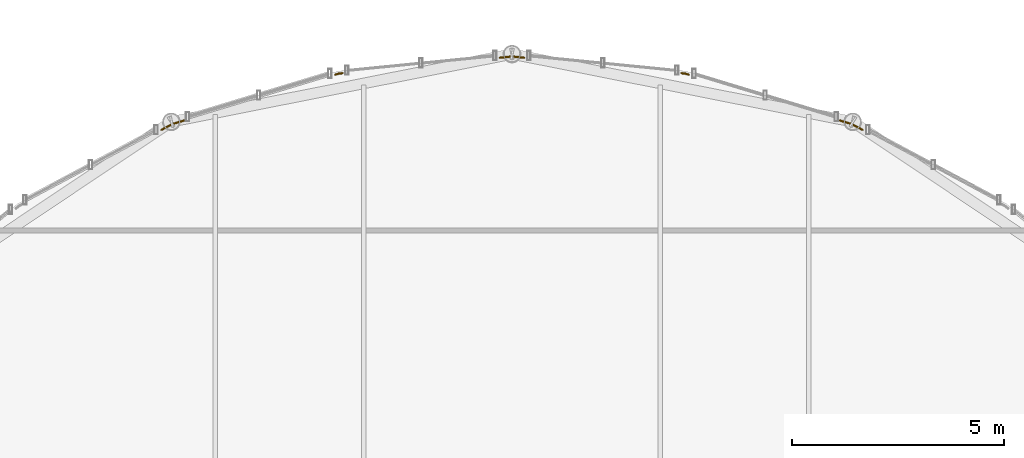
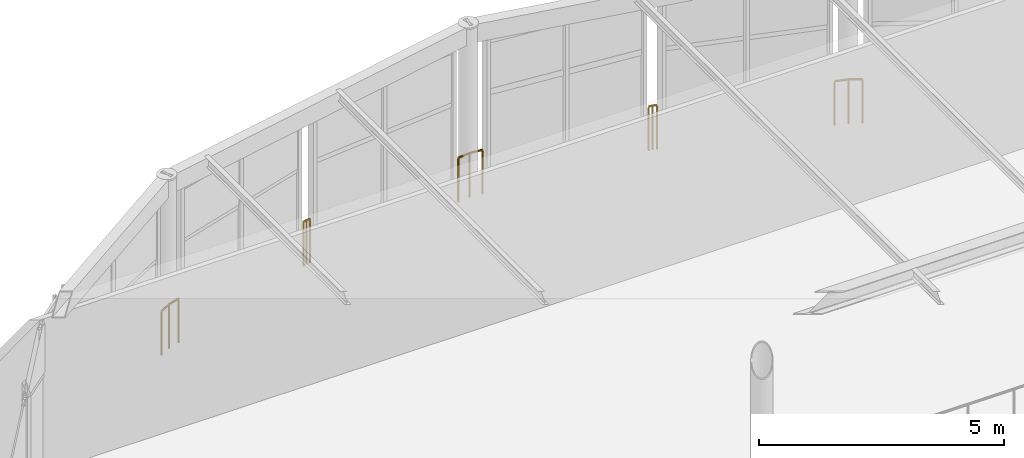
# One storey, part 105 of 105: 5 railings.
"""IFC4 building model written with IfcOpenShell, lengths in metres."""

from ifc_helpers import new_model, si_unit, direction, frame, origin, origin_2d, place, context, subcontext, project, spatial, circle, extrude, material, type_object, element, save


model = new_model("IFC4")

# Units and contexts
model_context = context("Model", 3, precision=1e-05, world=origin(), true_north=direction((0.0, 1.0)))
body_context = subcontext(model_context, "Body", "Model", "MODEL_VIEW")
ifc_project = project(units=[si_unit("LENGTHUNIT", "METRE"), si_unit("AREAUNIT", "SQUARE_METRE"), si_unit("VOLUMEUNIT", "CUBIC_METRE"), si_unit("PLANEANGLEUNIT", "RADIAN"), si_unit("MASSUNIT", "GRAM", prefix="KILO")], contexts=[model_context])

# Site, building, storey
site_placement = place(None, origin())
site = spatial("IfcSite", under=ifc_project, at=site_placement, CompositionType="ELEMENT")
building_placement = place(site_placement, origin())
building = spatial("IfcBuilding", under=site, at=building_placement, Name="Marlcrest Central Station", CompositionType="ELEMENT")
storey_placement = place(building_placement, frame((0.0, 0.0, 15.0)))
storey = spatial("IfcBuildingStorey", under=building, at=storey_placement, Name="L03", CompositionType="ELEMENT", Elevation=15.0)

# Railings
ifc_material = material(Name="Stainless steel and laminated glass concourse balustrade", Category="steel")
railing_type = type_object("IfcRailingType", Name="GR-02", PredefinedType="BALUSTRADE", material=ifc_material)
railing_1_placement = place(storey_placement, frame((99.73291015625, 129.7099609375, 0.0)))
element("IfcRailing", 1, at=railing_1_placement, inside=storey, type_object=railing_type, Name="hr-L03-00458", PredefinedType="BALUSTRADE", context=body_context, shape_type="SweptSolid", body=[
    extrude(circle(Radius=0.02392578125, at=origin_2d()), frame((0.0, 0.0, 1.09619140625), z_axis=(0.883126703113, 0.469134550261, 0.0), x_axis=(-0.469134550261, 0.883126703113, 0.0)), (0.0, 0.0, 1.0), 0.287841796875),
    extrude(circle(Radius=0.02392578125, at=origin_2d()), frame((0.254150390625, 0.135009765625, 1.09619140625), z_axis=(0.956653372273, 0.291228991205, 0.0), x_axis=(-0.291228991205, 0.956653372273, 0.0)), (0.0, 0.0, 1.0), 0.288330078125),
    extrude(circle(Radius=0.02099609375, at=origin_2d()), origin(), (0.0, 0.0, 1.0), 1.072021484375),
    extrude(circle(Radius=0.02099609375, at=origin_2d()), frame((0.254150390625, 0.135009765625, 0.0)), (0.0, 0.0, 1.0), 1.072021484375),
    extrude(circle(Radius=0.02099609375, at=origin_2d()), frame((0.530029296875, 0.218994140625, 0.0)), (0.0, 0.0, 1.0), 1.072021484375),
])
railing_2_placement = place(storey_placement, frame((103.8291015625, 131.010986328125, 0.0)))
element("IfcRailing", 2, at=railing_2_placement, inside=storey, type_object=railing_type, Name="hr-L03-00459", PredefinedType="BALUSTRADE", context=body_context, shape_type="SweptSolid", body=[
    extrude(circle(Radius=0.02392578125, at=origin_2d()), frame((0.0, 0.0, 1.09619140625), z_axis=(0.956772580042, 0.290837119501, 0.0), x_axis=(-0.290837119501, 0.956772580042, 0.0)), (0.0, 0.0, 1.0), 0.08984375),
    extrude(circle(Radius=0.02392578125, at=origin_2d()), frame((0.0859375, 0.026123046875, 1.09619140625), z_axis=(0.995144874966, 0.0984209217, 0.0), x_axis=(-0.0984209217, 0.995144874966, 0.0)), (0.0, 0.0, 1.0), 0.08935546875),
    extrude(circle(Radius=0.02099609375, at=origin_2d()), origin(), (0.0, 0.0, 1.0), 1.072021484375),
    extrude(circle(Radius=0.02099609375, at=origin_2d()), frame((0.0859375, 0.026123046875, 0.0)), (0.0, 0.0, 1.0), 1.072021484375),
    extrude(circle(Radius=0.02099609375, at=origin_2d()), frame((0.1748046875, 0.034912109375, 0.0)), (0.0, 0.0, 1.0), 1.072021484375),
])
railing_3_placement = place(storey_placement, frame((107.714111328125, 131.410888671875, 0.0)))
element("IfcRailing", 3, at=railing_3_placement, inside=storey, type_object=railing_type, Name="hr-L03-00460", PredefinedType="BALUSTRADE", context=body_context, shape_type="SweptSolid", body=[
    extrude(circle(Radius=0.02392578125, at=origin_2d()), frame((0.0, 0.0, 1.09619140625), z_axis=(0.994876081784, 0.101101839225, 0.0), x_axis=(-0.101101839225, 0.994876081784, 0.0)), (0.0, 0.0, 1.0), 0.287353515625),
    extrude(circle(Radius=0.02392578125, at=origin_2d()), frame((0.285888671875, 0.029052734375, 1.09619140625), z_axis=(0.994876081784, -0.101101839225, 0.0), x_axis=(0.101101839225, 0.994876081784, 0.0)), (0.0, 0.0, 1.0), 0.287353515625),
    extrude(circle(Radius=0.02099609375, at=origin_2d()), origin(), (0.0, 0.0, 1.0), 1.072021484375),
    extrude(circle(Radius=0.02099609375, at=origin_2d()), frame((0.285888671875, 0.029052734375, 0.0)), (0.0, 0.0, 1.0), 1.072021484375),
    extrude(circle(Radius=0.02099609375, at=origin_2d()), frame((0.57177734375, 0.0, 0.0)), (0.0, 0.0, 1.0), 1.072021484375),
])
railing_4_placement = place(storey_placement, frame((111.99609375, 131.0458984375, 0.0)))
element("IfcRailing", 4, at=railing_4_placement, inside=storey, type_object=railing_type, Name="hr-L03-00461", PredefinedType="BALUSTRADE", context=body_context, shape_type="SweptSolid", body=[
    extrude(circle(Radius=0.02392578125, at=origin_2d()), frame((0.0, 0.0, 1.09619140625), z_axis=(0.995144874966, -0.0984209217, 0.0), x_axis=(0.0984209217, 0.995144874966, 0.0)), (0.0, 0.0, 1.0), 0.08935546875),
    extrude(circle(Radius=0.02392578125, at=origin_2d()), frame((0.0888671875, -0.0087890625, 1.09619140625), z_axis=(0.956772580042, -0.290837119501, 0.0), x_axis=(0.290837119501, 0.956772580042, 0.0)), (0.0, 0.0, 1.0), 0.08984375),
    extrude(circle(Radius=0.02099609375, at=origin_2d()), origin(), (0.0, 0.0, 1.0), 1.072021484375),
    extrude(circle(Radius=0.02099609375, at=origin_2d()), frame((0.0888671875, -0.0087890625, 0.0)), (0.0, 0.0, 1.0), 1.072021484375),
    extrude(circle(Radius=0.02099609375, at=origin_2d()), frame((0.1748046875, -0.034912109375, 0.0)), (0.0, 0.0, 1.0), 1.072021484375),
])
railing_5_placement = place(storey_placement, frame((115.737060546875, 129.928955078125, 0.0)))
element("IfcRailing", 5, at=railing_5_placement, inside=storey, type_object=railing_type, Name="hr-L03-00462", PredefinedType="BALUSTRADE", context=body_context, shape_type="SweptSolid", body=[
    extrude(circle(Radius=0.02392578125, at=origin_2d()), frame((0.0, 0.0, 1.09619140625), z_axis=(0.956653372273, -0.291228991205, 0.0), x_axis=(0.291228991205, 0.956653372273, 0.0)), (0.0, 0.0, 1.0), 0.288330078125),
    extrude(circle(Radius=0.02392578125, at=origin_2d()), frame((0.27587890625, -0.083984375, 1.09619140625), z_axis=(0.883126703113, -0.469134550261, 0.0), x_axis=(0.469134550261, 0.883126703113, 0.0)), (0.0, 0.0, 1.0), 0.287841796875),
    extrude(circle(Radius=0.02099609375, at=origin_2d()), origin(), (0.0, 0.0, 1.0), 1.072021484375),
    extrude(circle(Radius=0.02099609375, at=origin_2d()), frame((0.27587890625, -0.083984375, 0.0)), (0.0, 0.0, 1.0), 1.072021484375),
    extrude(circle(Radius=0.02099609375, at=origin_2d()), frame((0.530029296875, -0.218994140625, 0.0)), (0.0, 0.0, 1.0), 1.072021484375),
])

save(model, "model.ifc")
